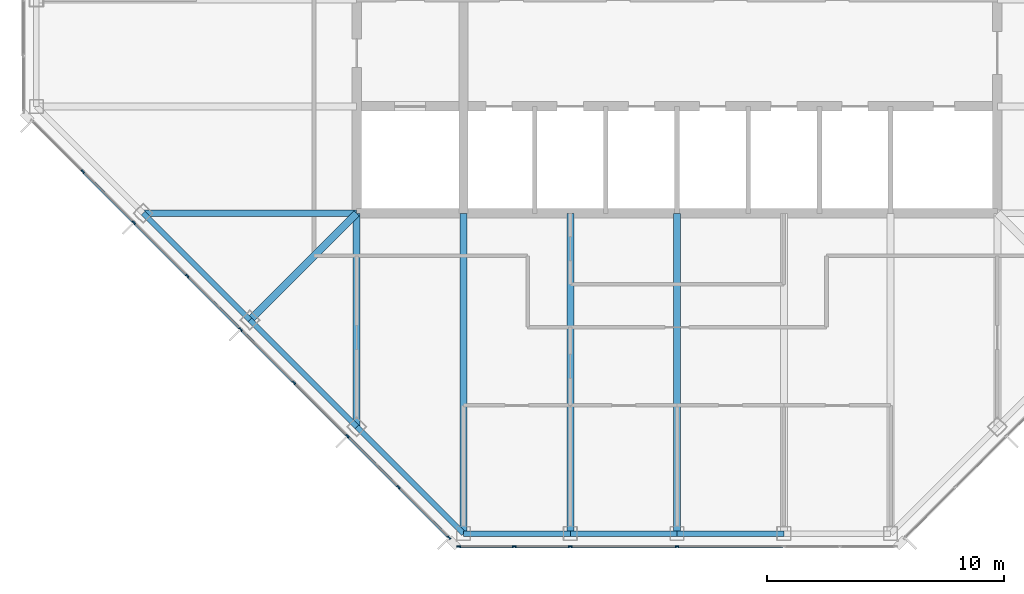
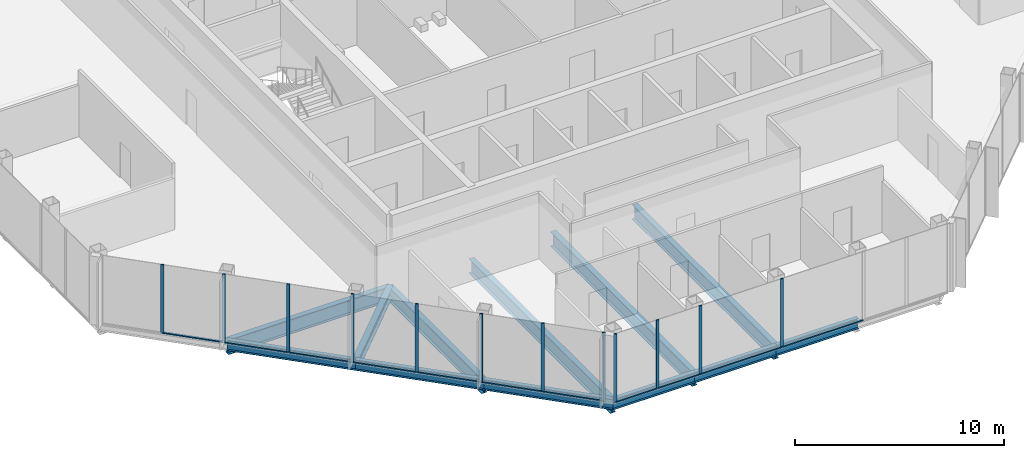
# One storey, part 2 of 13: 23 members, 12 beams, 2 elements without a shape of their own.
"""IFC4 building model written with IfcOpenShell, lengths in metres."""

from ifc_helpers import new_model, si_unit, direction, frame, origin, origin_2d, place, context, subcontext, project, spatial, rectangle, i_section, extrude, material, material_profile, profile_set, type_object, element, aggregate, save


model = new_model("IFC4")

# Units and contexts
model_context = context("Model", 3, precision=1e-05, world=origin(), true_north=direction((0.0, 1.0)))
body_context = subcontext(model_context, "Body", "Model", "MODEL_VIEW")
ifc_project = project(units=[si_unit("LENGTHUNIT", "METRE"), si_unit("AREAUNIT", "SQUARE_METRE"), si_unit("VOLUMEUNIT", "CUBIC_METRE"), si_unit("PLANEANGLEUNIT", "RADIAN"), si_unit("MASSUNIT", "GRAM", prefix="KILO")], contexts=[model_context])

# Site, building, storey
site_placement = place(None, origin())
site = spatial("IfcSite", under=ifc_project, at=site_placement, CompositionType="ELEMENT")
building_placement = place(site_placement, origin())
building = spatial("IfcBuilding", under=site, at=building_placement, Name="Corais Broadcast Tower", CompositionType="ELEMENT")
storey_placement = place(building_placement, frame((0.0, 0.0, 274.60009765625)))
storey = spatial("IfcBuildingStorey", under=building, at=storey_placement, Name="L64", CompositionType="ELEMENT", Elevation=274.60009765625)

# Beams
ifc_material_1 = material(Name="Steel ASTM A572 Grade 50", Category="steel")
ifc_material_profile_1 = material_profile(ifc_material_1, i_section(OverallWidth=0.323974609375, OverallDepth=0.611083984375, WebThickness=0.0126953125, FlangeThickness=0.01904296875, at=origin_2d()), Name="W610x155")
ifc_profile_set_1 = profile_set([ifc_material_profile_1], Name="Steel ASTM A572 Grade 50")
beam_type_1 = type_object("IfcBeamType", Name="Corner diagonal W610x155", PredefinedType="BEAM", material=ifc_profile_set_1)
beam_1_placement = place(storey_placement, frame((9.0, 9.0, -0.465576171875), z_axis=(0.707106781187, 0.707106781187, 0.0), x_axis=(-0.707106781187, 0.707106781187, 0.0)))
element("IfcBeam", 1, at=beam_1_placement, inside=storey, type_object=beam_type_1, Name="B6 C/5 to D/6", PredefinedType="BEAM", context=body_context, shape_type="SweptSolid", body=[
    extrude(i_section(OverallWidth=0.323974609375, OverallDepth=0.611083984375, WebThickness=0.0126953125, FlangeThickness=0.01904296875, at=origin_2d()), origin(), (0.0, 0.0, 1.0), 6.364013671875),
])
ifc_material_2 = material(Name="Steel ASTM A572 Grade 50", Category="steel")
ifc_material_profile_2 = material_profile(ifc_material_2, i_section(OverallWidth=0.2939453125, OverallDepth=0.85107421875, WebThickness=0.01611328125, FlangeThickness=0.02685546875, at=origin_2d()), Name="W840x226")
ifc_profile_set_2 = profile_set([ifc_material_profile_2], Name="Steel ASTM A572 Grade 50")
beam_type_2 = type_object("IfcBeamType", Name="Floor beam W840x226", PredefinedType="BEAM", material=ifc_profile_set_2)
beam_2_placement = place(storey_placement, frame((13.5, 4.5, -0.585693359375), z_axis=(0.0, 1.0, 0.0), x_axis=(-1.0, 0.0, 0.0)))
element("IfcBeam", 2, at=beam_2_placement, inside=storey, type_object=beam_type_2, Name="B1 B/6 to D/6", PredefinedType="BEAM", context=body_context, shape_type="SweptSolid", body=[
    extrude(i_section(OverallWidth=0.2939453125, OverallDepth=0.85107421875, WebThickness=0.01611328125, FlangeThickness=0.02685546875, at=origin_2d()), origin(), (0.0, 0.0, 1.0), 9.0),
])
for number, where, z_axis, x_axis, name in (
    (3, (18.0, 0.0, -0.585693359375), (0.0, 1.0, 0.0), (-1.0, 0.0, 0.0), "B1 A/7 to D/7"),
    (4, (22.5, 0.0, -0.585693359375), (0.0, 1.0, 0.0), (-1.0, 0.0, 0.0), "B1 A/8 to D/8"),
    (5, (27.0, 0.0, -0.585693359375), (0.0, 1.0, 0.0), (-1.0, 0.0, 0.0), "B1 A/9 to D/9"),
):
    element("IfcBeam", number, at=place(storey_placement, frame(where, z_axis=z_axis, x_axis=x_axis)), inside=storey, type_object=beam_type_2, Name=name, PredefinedType="BEAM", context=body_context, shape_type="SweptSolid", body=[
        extrude(i_section(OverallWidth=0.2939453125, OverallDepth=0.85107421875, WebThickness=0.01611328125, FlangeThickness=0.02685546875, at=origin_2d()), origin(), (0.0, 0.0, 1.0), 13.5),
    ])
beam_3_placement = place(storey_placement, frame((4.5, 13.5, -0.585693359375), z_axis=(1.0, 0.0, 0.0), x_axis=(0.0, 1.0, 0.0)))
element("IfcBeam", 6, at=beam_3_placement, inside=storey, type_object=beam_type_2, Name="B1 D/4 to D/6", PredefinedType="BEAM", context=body_context, shape_type="SweptSolid", body=[
    extrude(i_section(OverallWidth=0.2939453125, OverallDepth=0.85107421875, WebThickness=0.01611328125, FlangeThickness=0.02685546875, at=origin_2d()), origin(), (0.0, 0.0, 1.0), 9.0),
])

# Curtain wall, members
ifc_material_3 = material(Name="Aluminium and glass", Category="aluminium")
curtain_wall_type = type_object("IfcCurtainWallType", Name="Unitised fritted curtain wall CW3", PredefinedType="NOTDEFINED", material=ifc_material_3)
curtain_wall_1_placement = place(storey_placement, origin())
curtain_wall_1 = element("IfcCurtainWall", 7, at=curtain_wall_1_placement, inside=storey, type_object=curtain_wall_type, Name="CW3 curtain wall L64 1", PredefinedType="NOTDEFINED")
ifc_material_4 = material(Name="Aluminium 6063-T6", Category="aluminium")
ifc_material_profile_3 = material_profile(ifc_material_4, rectangle(XDim=0.06494140625, YDim=0.159912109375, at=origin_2d()), Name="Mullion CW3 65x160")
ifc_profile_set_3 = profile_set([ifc_material_profile_3], Name="Aluminium 6063-T6")
member_type_1 = type_object("IfcMemberType", Name="Mullion CW3 65x160", PredefinedType="MULLION", material=ifc_profile_set_3)
member_1_placement = place(storey_placement, frame((17.3955078125, -0.17333984375, 0.0), z_axis=(0.0, 0.0, 1.0), x_axis=(-0.707106781187, -0.707106781187, 0.0)))
member_1 = element("IfcMember", 8, at=member_1_placement, type_object=member_type_1, Name="CW3 mullion 1", PredefinedType="MULLION", context=body_context, shape_type="SweptSolid", body=[
    extrude(rectangle(XDim=0.06494140625, YDim=0.159912109375, at=origin_2d()), origin(), (0.0, 0.0, 1.0), 4.0),
])
member_2_placement = place(storey_placement, frame((15.264892578125, 1.957275390625, 0.0), z_axis=(0.0, 0.0, 1.0), x_axis=(-0.707106781187, -0.707106781187, 0.0)))
member_2 = element("IfcMember", 9, at=member_2_placement, type_object=member_type_1, Name="CW3 mullion 2", PredefinedType="MULLION", context=body_context, shape_type="SweptSolid", body=[
    extrude(rectangle(XDim=0.06494140625, YDim=0.159912109375, at=origin_2d()), origin(), (0.0, 0.0, 1.0), 4.0),
])
member_3_placement = place(storey_placement, frame((13.111083984375, 4.111083984375, 0.0), z_axis=(0.0, 0.0, 1.0), x_axis=(-0.707106781187, -0.707106781187, 0.0)))
member_3 = element("IfcMember", 10, at=member_3_placement, type_object=member_type_1, Name="CW3 mullion 3", PredefinedType="MULLION", context=body_context, shape_type="SweptSolid", body=[
    extrude(rectangle(XDim=0.06494140625, YDim=0.159912109375, at=origin_2d()), origin(), (0.0, 0.0, 1.0), 4.0),
])
member_4_placement = place(storey_placement, frame((10.861083984375, 6.361083984375, 0.0), z_axis=(0.0, 0.0, 1.0), x_axis=(-0.707106781187, -0.707106781187, 0.0)))
member_4 = element("IfcMember", 11, at=member_4_placement, type_object=member_type_1, Name="CW3 mullion 4", PredefinedType="MULLION", context=body_context, shape_type="SweptSolid", body=[
    extrude(rectangle(XDim=0.06494140625, YDim=0.159912109375, at=origin_2d()), origin(), (0.0, 0.0, 1.0), 4.0),
])
member_5_placement = place(storey_placement, frame((8.611083984375, 8.611083984375, 0.0), z_axis=(0.0, 0.0, 1.0), x_axis=(-0.707106781187, -0.707106781187, 0.0)))
member_5 = element("IfcMember", 12, at=member_5_placement, type_object=member_type_1, Name="CW3 mullion 5", PredefinedType="MULLION", context=body_context, shape_type="SweptSolid", body=[
    extrude(rectangle(XDim=0.06494140625, YDim=0.159912109375, at=origin_2d()), origin(), (0.0, 0.0, 1.0), 4.0),
])
member_6_placement = place(storey_placement, frame((6.361083984375, 10.861083984375, 0.0), z_axis=(0.0, 0.0, 1.0), x_axis=(-0.707106781187, -0.707106781187, 0.0)))
member_6 = element("IfcMember", 13, at=member_6_placement, type_object=member_type_1, Name="CW3 mullion 6", PredefinedType="MULLION", context=body_context, shape_type="SweptSolid", body=[
    extrude(rectangle(XDim=0.06494140625, YDim=0.159912109375, at=origin_2d()), origin(), (0.0, 0.0, 1.0), 4.0),
])
member_7_placement = place(storey_placement, frame((4.111083984375, 13.111083984375, 0.0), z_axis=(0.0, 0.0, 1.0), x_axis=(-0.707106781187, -0.707106781187, 0.0)))
member_7 = element("IfcMember", 14, at=member_7_placement, type_object=member_type_1, Name="CW3 mullion 7", PredefinedType="MULLION", context=body_context, shape_type="SweptSolid", body=[
    extrude(rectangle(XDim=0.06494140625, YDim=0.159912109375, at=origin_2d()), origin(), (0.0, 0.0, 1.0), 4.0),
])
member_8_placement = place(storey_placement, frame((1.957275390625, 15.264892578125, 0.0), z_axis=(0.0, 0.0, 1.0), x_axis=(-0.707106781187, -0.707106781187, 0.0)))
member_8 = element("IfcMember", 15, at=member_8_placement, type_object=member_type_1, Name="CW3 mullion 8", PredefinedType="MULLION", context=body_context, shape_type="SweptSolid", body=[
    extrude(rectangle(XDim=0.06494140625, YDim=0.159912109375, at=origin_2d()), origin(), (0.0, 0.0, 1.0), 4.0),
])

curtain_wall_2_placement = place(storey_placement, origin())
curtain_wall_2 = element("IfcCurtainWall", 16, at=curtain_wall_2_placement, inside=storey, type_object=curtain_wall_type, Name="CW3 curtain wall L64 8", PredefinedType="NOTDEFINED")
member_9_placement = place(storey_placement, frame((27.0, -0.550048828125, 0.0), z_axis=(0.0, 0.0, 1.0), x_axis=(0.0, -1.0, 0.0)))
member_9 = element("IfcMember", 17, at=member_9_placement, type_object=member_type_1, Name="CW3 mullion 4", PredefinedType="MULLION", context=body_context, shape_type="SweptSolid", body=[
    extrude(rectangle(XDim=0.06494140625, YDim=0.159912109375, at=origin_2d()), origin(), (0.0, 0.0, 1.0), 4.0),
])
member_10_placement = place(storey_placement, frame((22.5, -0.550048828125, 0.0), z_axis=(0.0, 0.0, 1.0), x_axis=(0.0, -1.0, 0.0)))
member_10 = element("IfcMember", 18, at=member_10_placement, type_object=member_type_1, Name="CW3 mullion 5", PredefinedType="MULLION", context=body_context, shape_type="SweptSolid", body=[
    extrude(rectangle(XDim=0.06494140625, YDim=0.159912109375, at=origin_2d()), origin(), (0.0, 0.0, 1.0), 4.0),
])
member_11_placement = place(storey_placement, frame((20.135986328125, -0.550048828125, 0.0), z_axis=(0.0, 0.0, 1.0), x_axis=(0.0, -1.0, 0.0)))
member_11 = element("IfcMember", 19, at=member_11_placement, type_object=member_type_1, Name="CW3 mullion 6", PredefinedType="MULLION", context=body_context, shape_type="SweptSolid", body=[
    extrude(rectangle(XDim=0.06494140625, YDim=0.159912109375, at=origin_2d()), origin(), (0.0, 0.0, 1.0), 4.0),
])
member_12_placement = place(storey_placement, frame((17.8046875, -0.550048828125, 0.0), z_axis=(0.0, 0.0, 1.0), x_axis=(0.0, -1.0, 0.0)))
member_12 = element("IfcMember", 20, at=member_12_placement, type_object=member_type_1, Name="CW3 mullion 7", PredefinedType="MULLION", context=body_context, shape_type="SweptSolid", body=[
    extrude(rectangle(XDim=0.06494140625, YDim=0.159912109375, at=origin_2d()), origin(), (0.0, 0.0, 1.0), 4.0),
])

# Beams
ifc_material_5 = material(Name="Steel ASTM A572 Grade 50", Category="steel")
ifc_material_profile_4 = material_profile(ifc_material_5, i_section(OverallWidth=0.22998046875, OverallDepth=0.616943359375, WebThickness=0.01318359375, FlangeThickness=0.022216796875, at=origin_2d()), Name="W610x140")
ifc_profile_set_4 = profile_set([ifc_material_profile_4], Name="Steel ASTM A572 Grade 50")
beam_type_3 = type_object("IfcBeamType", Name="Spandrel W610x140", PredefinedType="BEAM", material=ifc_profile_set_4)
beam_4_placement = place(storey_placement, frame((13.5, 4.5, -0.468505859375), z_axis=(0.707106781187, -0.707106781187, 0.0), x_axis=(0.707106781187, 0.707106781187, 0.0)))
element("IfcBeam", 21, at=beam_4_placement, inside=storey, type_object=beam_type_3, Name="SB3 B/6 to A/7", PredefinedType="BEAM", context=body_context, shape_type="SweptSolid", body=[
    extrude(i_section(OverallWidth=0.22998046875, OverallDepth=0.616943359375, WebThickness=0.01318359375, FlangeThickness=0.022216796875, at=origin_2d()), origin(), (0.0, 0.0, 1.0), 6.364013671875),
])
for number, where, z_axis, x_axis, name in (
    (22, (18.0, 0.0, -0.468505859375), (1.0, 0.0, 0.0), (0.0, 1.0, 0.0), "SB3 A/7 to A/8"),
    (23, (22.5, 0.0, -0.468505859375), (1.0, 0.0, 0.0), (0.0, 1.0, 0.0), "SB3 A/8 to A/9"),
    (24, (27.0, 0.0, -0.468505859375), (1.0, 0.0, 0.0), (0.0, 1.0, 0.0), "SB3 A/9 to A/10"),
):
    element("IfcBeam", number, at=place(storey_placement, frame(where, z_axis=z_axis, x_axis=x_axis)), inside=storey, type_object=beam_type_3, Name=name, PredefinedType="BEAM", context=body_context, shape_type="SweptSolid", body=[
        extrude(i_section(OverallWidth=0.22998046875, OverallDepth=0.616943359375, WebThickness=0.01318359375, FlangeThickness=0.022216796875, at=origin_2d()), origin(), (0.0, 0.0, 1.0), 4.5),
    ])
for number, where, z_axis, x_axis, name in (
    (25, (4.5, 13.5, -0.468505859375), (0.707106781187, -0.707106781187, 0.0), (0.707106781187, 0.707106781187, 0.0), "SB3 D/4 to C/5"),
    (26, (9.0, 9.0, -0.468505859375), (0.707106781187, -0.707106781187, 0.0), (0.707106781187, 0.707106781187, 0.0), "SB3 C/5 to B/6"),
):
    element("IfcBeam", number, at=place(storey_placement, frame(where, z_axis=z_axis, x_axis=x_axis)), inside=storey, type_object=beam_type_3, Name=name, PredefinedType="BEAM", context=body_context, shape_type="SweptSolid", body=[
        extrude(i_section(OverallWidth=0.22998046875, OverallDepth=0.616943359375, WebThickness=0.01318359375, FlangeThickness=0.022216796875, at=origin_2d()), origin(), (0.0, 0.0, 1.0), 6.364013671875),
    ])

# Member
ifc_material_6 = material(Name="Aluminium 6063-T6", Category="aluminium")
ifc_material_profile_5 = material_profile(ifc_material_6, rectangle(XDim=0.1201171875, YDim=0.06494140625, at=origin_2d()), Name="Transom CW3 65x120")
ifc_profile_set_5 = profile_set([ifc_material_profile_5], Name="Aluminium 6063-T6")
member_type_2 = type_object("IfcMemberType", Name="Transom CW3 65x120", PredefinedType="USERDEFINED", material=ifc_profile_set_5)
member_13_placement = place(storey_placement, frame((17.37255859375, -0.150390625, 0.032470703125), z_axis=(-0.707106781187, 0.707106781187, 0.0), x_axis=(-0.707106781187, -0.707106781187, 0.0)))
member_13 = element("IfcMember", 27, at=member_13_placement, type_object=member_type_2, Name="CW3 transom 1.1", ObjectType="TRANSOM", PredefinedType="USERDEFINED", context=body_context, shape_type="SweptSolid", body=[
    extrude(rectangle(XDim=0.1201171875, YDim=0.06494140625, at=origin_2d()), origin(), (0.0, 0.0, 1.0), 2.9482421875),
])

member_14_placement = place(storey_placement, frame((15.241943359375, 1.980224609375, 0.032470703125), z_axis=(-0.707106781187, 0.707106781187, 0.0), x_axis=(-0.707106781187, -0.707106781187, 0.0)))
member_14 = element("IfcMember", 28, at=member_14_placement, type_object=member_type_2, Name="CW3 transom 2.1", ObjectType="TRANSOM", PredefinedType="USERDEFINED", context=body_context, shape_type="SweptSolid", body=[
    extrude(rectangle(XDim=0.1201171875, YDim=0.06494140625, at=origin_2d()), origin(), (0.0, 0.0, 1.0), 2.98095703125),
])

member_15_placement = place(storey_placement, frame((13.088134765625, 4.134033203125, 0.032470703125), z_axis=(-0.707106781187, 0.707106781187, 0.0), x_axis=(-0.707106781187, -0.707106781187, 0.0)))
member_15 = element("IfcMember", 29, at=member_15_placement, type_object=member_type_2, Name="CW3 transom 3.1", ObjectType="TRANSOM", PredefinedType="USERDEFINED", context=body_context, shape_type="SweptSolid", body=[
    extrude(rectangle(XDim=0.1201171875, YDim=0.06494140625, at=origin_2d()), origin(), (0.0, 0.0, 1.0), 3.1171875),
])

member_16_placement = place(storey_placement, frame((10.838134765625, 6.384033203125, 0.032470703125), z_axis=(-0.707106781187, 0.707106781187, 0.0), x_axis=(-0.707106781187, -0.707106781187, 0.0)))
member_16 = element("IfcMember", 30, at=member_16_placement, type_object=member_type_2, Name="CW3 transom 4.1", ObjectType="TRANSOM", PredefinedType="USERDEFINED", context=body_context, shape_type="SweptSolid", body=[
    extrude(rectangle(XDim=0.1201171875, YDim=0.06494140625, at=origin_2d()), origin(), (0.0, 0.0, 1.0), 3.1171875),
])

member_17_placement = place(storey_placement, frame((8.588134765625, 8.634033203125, 0.032470703125), z_axis=(-0.707106781187, 0.707106781187, 0.0), x_axis=(-0.707106781187, -0.707106781187, 0.0)))
member_17 = element("IfcMember", 31, at=member_17_placement, type_object=member_type_2, Name="CW3 transom 5.1", ObjectType="TRANSOM", PredefinedType="USERDEFINED", context=body_context, shape_type="SweptSolid", body=[
    extrude(rectangle(XDim=0.1201171875, YDim=0.06494140625, at=origin_2d()), origin(), (0.0, 0.0, 1.0), 3.1171875),
])

member_18_placement = place(storey_placement, frame((6.338134765625, 10.884033203125, 0.032470703125), z_axis=(-0.707106781187, 0.707106781187, 0.0), x_axis=(-0.707106781187, -0.707106781187, 0.0)))
member_18 = element("IfcMember", 32, at=member_18_placement, type_object=member_type_2, Name="CW3 transom 6.1", ObjectType="TRANSOM", PredefinedType="USERDEFINED", context=body_context, shape_type="SweptSolid", body=[
    extrude(rectangle(XDim=0.1201171875, YDim=0.06494140625, at=origin_2d()), origin(), (0.0, 0.0, 1.0), 3.1171875),
])

member_19_placement = place(storey_placement, frame((4.088134765625, 13.134033203125, 0.032470703125), z_axis=(-0.707065828661, 0.70714773134, 0.0), x_axis=(-0.70714773134, -0.707065828661, 0.0)))
member_19 = element("IfcMember", 33, at=member_19_placement, type_object=member_type_2, Name="CW3 transom 7.1", ObjectType="TRANSOM", PredefinedType="USERDEFINED", context=body_context, shape_type="SweptSolid", body=[
    extrude(rectangle(XDim=0.1201171875, YDim=0.06494140625, at=origin_2d()), origin(), (0.0, 0.0, 1.0), 2.98095703125),
])

aggregate(curtain_wall_1, [member_1, member_2, member_3, member_4, member_5, member_6, member_7, member_8, member_13, member_14, member_15, member_16, member_17, member_18, member_19])

member_20_placement = place(storey_placement, frame((31.467529296875, -0.550048828125, 0.032470703125), z_axis=(-1.0, 0.0, 0.0), x_axis=(0.0, -1.0, 0.0)))
member_20 = element("IfcMember", 34, at=member_20_placement, type_object=member_type_2, Name="CW3 transom 3.1", ObjectType="TRANSOM", PredefinedType="USERDEFINED", context=body_context, shape_type="SweptSolid", body=[
    extrude(rectangle(XDim=0.1201171875, YDim=0.06494140625, at=origin_2d()), origin(), (0.0, 0.0, 1.0), 4.43505859375),
])

member_21_placement = place(storey_placement, frame((26.967529296875, -0.550048828125, 0.032470703125), z_axis=(-1.0, 0.0, 0.0), x_axis=(0.0, -1.0, 0.0)))
member_21 = element("IfcMember", 35, at=member_21_placement, type_object=member_type_2, Name="CW3 transom 4.1", ObjectType="TRANSOM", PredefinedType="USERDEFINED", context=body_context, shape_type="SweptSolid", body=[
    extrude(rectangle(XDim=0.1201171875, YDim=0.06494140625, at=origin_2d()), origin(), (0.0, 0.0, 1.0), 4.43505859375),
])

member_22_placement = place(storey_placement, frame((22.467529296875, -0.550048828125, 0.032470703125), z_axis=(-1.0, 0.0, 0.0), x_axis=(0.0, -1.0, 0.0)))
member_22 = element("IfcMember", 36, at=member_22_placement, type_object=member_type_2, Name="CW3 transom 5.1", ObjectType="TRANSOM", PredefinedType="USERDEFINED", context=body_context, shape_type="SweptSolid", body=[
    extrude(rectangle(XDim=0.1201171875, YDim=0.06494140625, at=origin_2d()), origin(), (0.0, 0.0, 1.0), 2.298828125),
])

member_23_placement = place(storey_placement, frame((20.103515625, -0.550048828125, 0.032470703125), z_axis=(-1.0, 0.0, 0.0), x_axis=(0.0, -1.0, 0.0)))
member_23 = element("IfcMember", 37, at=member_23_placement, type_object=member_type_2, Name="CW3 transom 6.1", ObjectType="TRANSOM", PredefinedType="USERDEFINED", context=body_context, shape_type="SweptSolid", body=[
    extrude(rectangle(XDim=0.1201171875, YDim=0.06494140625, at=origin_2d()), origin(), (0.0, 0.0, 1.0), 2.266357421875),
])

aggregate(curtain_wall_2, [member_9, member_10, member_11, member_12, member_20, member_21, member_22, member_23])

save(model, "model.ifc")
